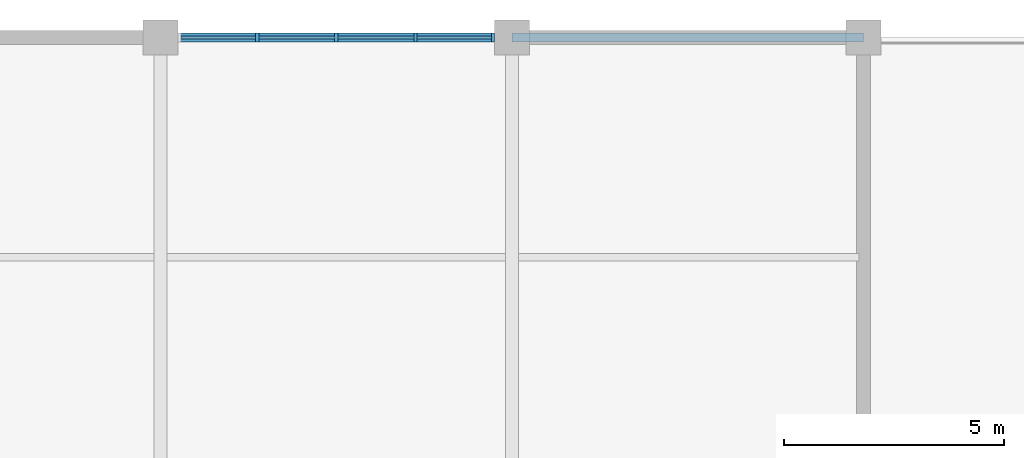
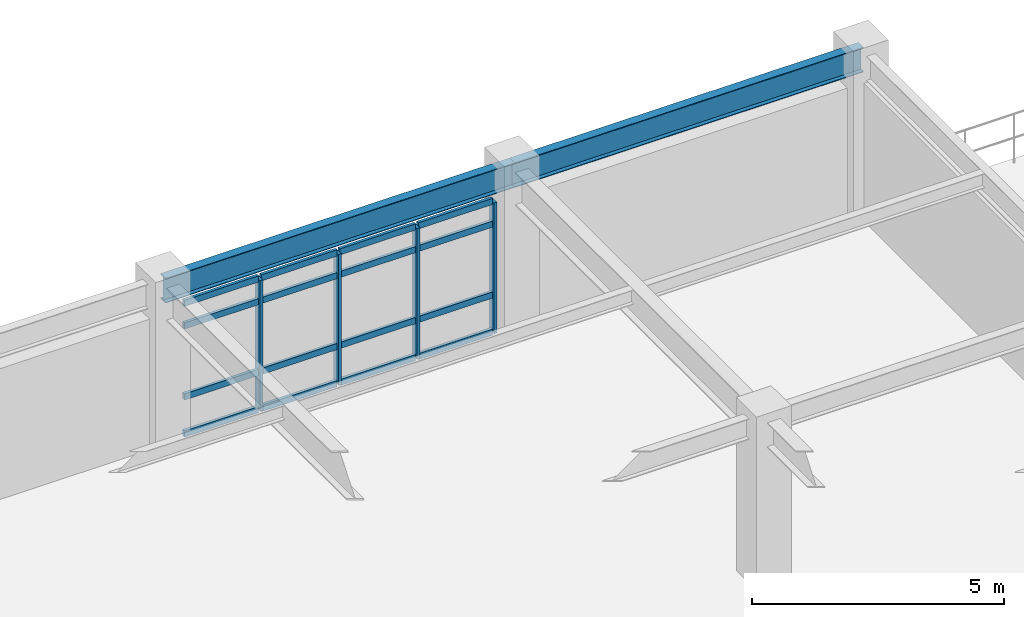
# One storey, part 62 of 118: 20 members, 2 beams, 1 element without a shape of its own.
"""IFC4 building model written with IfcOpenShell, lengths in metres."""

from ifc_helpers import new_model, si_unit, direction, frame, origin, origin_2d, place, context, subcontext, project, spatial, rectangle, i_section, extrude, material, layer, layer_set, material_profile, profile_set, type_object, element, aggregate, save


model = new_model("IFC4")

# Units and contexts
model_context = context("Model", 3, precision=1e-05, world=origin(), true_north=direction((0.0, 1.0)))
body_context = subcontext(model_context, "Body", "Model", "MODEL_VIEW")
ifc_project = project(units=[si_unit("LENGTHUNIT", "METRE"), si_unit("AREAUNIT", "SQUARE_METRE"), si_unit("VOLUMEUNIT", "CUBIC_METRE"), si_unit("PLANEANGLEUNIT", "RADIAN"), si_unit("MASSUNIT", "GRAM", prefix="KILO")], contexts=[model_context])

# Site, building, storey
site_placement = place(None, origin())
site = spatial("IfcSite", under=ifc_project, at=site_placement, CompositionType="ELEMENT")
building_placement = place(site_placement, origin())
building = spatial("IfcBuilding", under=site, at=building_placement, Name="Haebicheon Civic Stadium", CompositionType="ELEMENT")
storey_placement = place(building_placement, frame((0.0, 0.0, 14.39990234375)))
storey = spatial("IfcBuildingStorey", under=building, at=storey_placement, Name="L04", CompositionType="ELEMENT", Elevation=14.39990234375)

# Curtain wall, members
ifc_material_1 = material(Name="Anodised aluminium and laminated glass", Category="aluminium")
ifc_layer = layer(ifc_material_1, 0.179931640625, Name="Anodised aluminium and laminated glass")
ifc_layer_set = layer_set([ifc_layer], Name="Anodised aluminium and laminated glass")
curtain_wall_type = type_object("IfcCurtainWallType", Name="CW-7200x3170", PredefinedType="NOTDEFINED", material=ifc_layer_set)
curtain_wall_placement = place(storey_placement, origin())
curtain_wall = element("IfcCurtainWall", 1, at=curtain_wall_placement, inside=storey, type_object=curtain_wall_type, material=ifc_layer_set, Name="L04 unitised curtain wall 164", PredefinedType="NOTDEFINED")
ifc_material_2 = material(Name="Anodised aluminium 6063-T6", Category="aluminium")
ifc_material_profile_1 = material_profile(ifc_material_2, rectangle(XDim=0.070068359375, YDim=0.199951171875, at=origin_2d()), Name="ALU-MULL-70x200")
ifc_profile_set_1 = profile_set([ifc_material_profile_1], Name="Anodised aluminium 6063-T6")
member_type_1 = type_object("IfcMemberType", Name="CWM-200x70", PredefinedType="MULLION", material=ifc_profile_set_1)
member_1_placement = place(storey_placement, frame((178.199951171875, 178.0, 0.0), z_axis=(0.0, 0.0, 1.0), x_axis=(1.0, 0.0, 0.0)))
member_1 = element("IfcMember", 2, at=member_1_placement, type_object=member_type_1, material=ifc_profile_set_1, Name="CW-L04-164 vertical mullion 2", PredefinedType="MULLION", context=body_context, shape_type="SweptSolid", body=[
    extrude(rectangle(XDim=0.070068359375, YDim=0.199951171875, at=origin_2d()), origin(), (0.0, 0.0, 1.0), 3.170166015625),
])
member_2_placement = place(storey_placement, frame((180.0, 178.0, 0.0), z_axis=(0.0, 0.0, 1.0), x_axis=(1.0, 0.0, 0.0)))
member_2 = element("IfcMember", 3, at=member_2_placement, type_object=member_type_1, material=ifc_profile_set_1, Name="CW-L04-164 vertical mullion 3", PredefinedType="MULLION", context=body_context, shape_type="SweptSolid", body=[
    extrude(rectangle(XDim=0.070068359375, YDim=0.199951171875, at=origin_2d()), origin(), (0.0, 0.0, 1.0), 3.170166015625),
])
member_3_placement = place(storey_placement, frame((181.800048828125, 178.0, 0.0), z_axis=(0.0, 0.0, 1.0), x_axis=(1.0, 0.0, 0.0)))
member_3 = element("IfcMember", 4, at=member_3_placement, type_object=member_type_1, material=ifc_profile_set_1, Name="CW-L04-164 vertical mullion 4", PredefinedType="MULLION", context=body_context, shape_type="SweptSolid", body=[
    extrude(rectangle(XDim=0.070068359375, YDim=0.199951171875, at=origin_2d()), origin(), (0.0, 0.0, 1.0), 3.170166015625),
])
member_4_placement = place(storey_placement, frame((183.56494140625, 178.0, 0.0), z_axis=(0.0, 0.0, 1.0), x_axis=(1.0, 0.0, 0.0)))
member_4 = element("IfcMember", 5, at=member_4_placement, type_object=member_type_1, material=ifc_profile_set_1, Name="CW-L04-164 vertical mullion 5", PredefinedType="MULLION", context=body_context, shape_type="SweptSolid", body=[
    extrude(rectangle(XDim=0.070068359375, YDim=0.199951171875, at=origin_2d()), origin(), (0.0, 0.0, 1.0), 3.170166015625),
])
ifc_material_3 = material(Name="Anodised aluminium 6063-T6", Category="aluminium")
ifc_material_profile_2 = material_profile(ifc_material_3, rectangle(XDim=0.070068359375, YDim=0.14990234375, at=origin_2d()), Name="ALU-TRAN-70x150")
ifc_profile_set_2 = profile_set([ifc_material_profile_2], Name="Anodised aluminium 6063-T6")
member_type_2 = type_object("IfcMemberType", Name="CWT-150x70", PredefinedType="NOTDEFINED", material=ifc_profile_set_2)
member_5_placement = place(storey_placement, frame((176.469970703125, 178.0, 0.0), z_axis=(1.0, 0.0, 0.0), x_axis=(0.0, 1.0, 0.0)))
member_5 = element("IfcMember", 6, at=member_5_placement, type_object=member_type_2, material=ifc_profile_set_2, Name="CW-L04-164 horizontal transom 1.1", ObjectType="TRANSOM", PredefinedType="USERDEFINED", context=body_context, shape_type="SweptSolid", body=[
    extrude(rectangle(XDim=0.070068359375, YDim=0.14990234375, at=origin_2d()), origin(), (0.0, 0.0, 1.0), 1.695068359375),
])
member_6_placement = place(storey_placement, frame((176.469970703125, 178.0, 0.900146484375), z_axis=(1.0, 0.0, 0.0), x_axis=(0.0, 1.0, 0.0)))
member_6 = element("IfcMember", 7, at=member_6_placement, type_object=member_type_2, material=ifc_profile_set_2, Name="CW-L04-164 horizontal transom 1.2", ObjectType="TRANSOM", PredefinedType="USERDEFINED", context=body_context, shape_type="SweptSolid", body=[
    extrude(rectangle(XDim=0.070068359375, YDim=0.14990234375, at=origin_2d()), origin(), (0.0, 0.0, 1.0), 1.695068359375),
])
member_7_placement = place(storey_placement, frame((176.469970703125, 178.0, 2.6201171875), z_axis=(1.0, 0.0, 0.0), x_axis=(0.0, 1.0, 0.0)))
member_7 = element("IfcMember", 8, at=member_7_placement, type_object=member_type_2, material=ifc_profile_set_2, Name="CW-L04-164 horizontal transom 1.3", ObjectType="TRANSOM", PredefinedType="USERDEFINED", context=body_context, shape_type="SweptSolid", body=[
    extrude(rectangle(XDim=0.070068359375, YDim=0.14990234375, at=origin_2d()), origin(), (0.0, 0.0, 1.0), 1.695068359375),
])
member_8_placement = place(storey_placement, frame((176.469970703125, 178.0, 3.170166015625), z_axis=(1.0, 0.0, 0.0), x_axis=(0.0, 1.0, 0.0)))
member_8 = element("IfcMember", 9, at=member_8_placement, type_object=member_type_2, material=ifc_profile_set_2, Name="CW-L04-164 horizontal transom 1.4", ObjectType="TRANSOM", PredefinedType="USERDEFINED", context=body_context, shape_type="SweptSolid", body=[
    extrude(rectangle(XDim=0.070068359375, YDim=0.14990234375, at=origin_2d()), origin(), (0.0, 0.0, 1.0), 1.695068359375),
])
member_9_placement = place(storey_placement, frame((178.235107421875, 178.0, 0.0), z_axis=(1.0, 0.0, 0.0), x_axis=(0.0, 1.0, 0.0)))
member_9 = element("IfcMember", 10, at=member_9_placement, type_object=member_type_2, material=ifc_profile_set_2, Name="CW-L04-164 horizontal transom 2.1", ObjectType="TRANSOM", PredefinedType="USERDEFINED", context=body_context, shape_type="SweptSolid", body=[
    extrude(rectangle(XDim=0.070068359375, YDim=0.14990234375, at=origin_2d()), origin(), (0.0, 0.0, 1.0), 1.72998046875),
])
member_10_placement = place(storey_placement, frame((178.235107421875, 178.0, 0.900146484375), z_axis=(1.0, 0.0, 0.0), x_axis=(0.0, 1.0, 0.0)))
member_10 = element("IfcMember", 11, at=member_10_placement, type_object=member_type_2, material=ifc_profile_set_2, Name="CW-L04-164 horizontal transom 2.2", ObjectType="TRANSOM", PredefinedType="USERDEFINED", context=body_context, shape_type="SweptSolid", body=[
    extrude(rectangle(XDim=0.070068359375, YDim=0.14990234375, at=origin_2d()), origin(), (0.0, 0.0, 1.0), 1.72998046875),
])
member_11_placement = place(storey_placement, frame((178.235107421875, 178.0, 2.6201171875), z_axis=(1.0, 0.0, 0.0), x_axis=(0.0, 1.0, 0.0)))
member_11 = element("IfcMember", 12, at=member_11_placement, type_object=member_type_2, material=ifc_profile_set_2, Name="CW-L04-164 horizontal transom 2.3", ObjectType="TRANSOM", PredefinedType="USERDEFINED", context=body_context, shape_type="SweptSolid", body=[
    extrude(rectangle(XDim=0.070068359375, YDim=0.14990234375, at=origin_2d()), origin(), (0.0, 0.0, 1.0), 1.72998046875),
])
member_12_placement = place(storey_placement, frame((178.235107421875, 178.0, 3.170166015625), z_axis=(1.0, 0.0, 0.0), x_axis=(0.0, 1.0, 0.0)))
member_12 = element("IfcMember", 13, at=member_12_placement, type_object=member_type_2, material=ifc_profile_set_2, Name="CW-L04-164 horizontal transom 2.4", ObjectType="TRANSOM", PredefinedType="USERDEFINED", context=body_context, shape_type="SweptSolid", body=[
    extrude(rectangle(XDim=0.070068359375, YDim=0.14990234375, at=origin_2d()), origin(), (0.0, 0.0, 1.0), 1.72998046875),
])
member_13_placement = place(storey_placement, frame((180.034912109375, 178.0, 0.0), z_axis=(1.0, 0.0, 0.0), x_axis=(0.0, 1.0, 0.0)))
member_13 = element("IfcMember", 14, at=member_13_placement, type_object=member_type_2, material=ifc_profile_set_2, Name="CW-L04-164 horizontal transom 3.1", ObjectType="TRANSOM", PredefinedType="USERDEFINED", context=body_context, shape_type="SweptSolid", body=[
    extrude(rectangle(XDim=0.070068359375, YDim=0.14990234375, at=origin_2d()), origin(), (0.0, 0.0, 1.0), 1.72998046875),
])
member_14_placement = place(storey_placement, frame((180.034912109375, 178.0, 0.900146484375), z_axis=(1.0, 0.0, 0.0), x_axis=(0.0, 1.0, 0.0)))
member_14 = element("IfcMember", 15, at=member_14_placement, type_object=member_type_2, material=ifc_profile_set_2, Name="CW-L04-164 horizontal transom 3.2", ObjectType="TRANSOM", PredefinedType="USERDEFINED", context=body_context, shape_type="SweptSolid", body=[
    extrude(rectangle(XDim=0.070068359375, YDim=0.14990234375, at=origin_2d()), origin(), (0.0, 0.0, 1.0), 1.72998046875),
])
member_15_placement = place(storey_placement, frame((180.034912109375, 178.0, 2.6201171875), z_axis=(1.0, 0.0, 0.0), x_axis=(0.0, 1.0, 0.0)))
member_15 = element("IfcMember", 16, at=member_15_placement, type_object=member_type_2, material=ifc_profile_set_2, Name="CW-L04-164 horizontal transom 3.3", ObjectType="TRANSOM", PredefinedType="USERDEFINED", context=body_context, shape_type="SweptSolid", body=[
    extrude(rectangle(XDim=0.070068359375, YDim=0.14990234375, at=origin_2d()), origin(), (0.0, 0.0, 1.0), 1.72998046875),
])
member_16_placement = place(storey_placement, frame((180.034912109375, 178.0, 3.170166015625), z_axis=(1.0, 0.0, 0.0), x_axis=(0.0, 1.0, 0.0)))
member_16 = element("IfcMember", 17, at=member_16_placement, type_object=member_type_2, material=ifc_profile_set_2, Name="CW-L04-164 horizontal transom 3.4", ObjectType="TRANSOM", PredefinedType="USERDEFINED", context=body_context, shape_type="SweptSolid", body=[
    extrude(rectangle(XDim=0.070068359375, YDim=0.14990234375, at=origin_2d()), origin(), (0.0, 0.0, 1.0), 1.72998046875),
])
member_17_placement = place(storey_placement, frame((181.8349609375, 178.0, 0.0), z_axis=(1.0, 0.0, 0.0), x_axis=(0.0, 1.0, 0.0)))
member_17 = element("IfcMember", 18, at=member_17_placement, type_object=member_type_2, material=ifc_profile_set_2, Name="CW-L04-164 horizontal transom 4.1", ObjectType="TRANSOM", PredefinedType="USERDEFINED", context=body_context, shape_type="SweptSolid", body=[
    extrude(rectangle(XDim=0.070068359375, YDim=0.14990234375, at=origin_2d()), origin(), (0.0, 0.0, 1.0), 1.695068359375),
])
member_18_placement = place(storey_placement, frame((181.8349609375, 178.0, 0.900146484375), z_axis=(1.0, 0.0, 0.0), x_axis=(0.0, 1.0, 0.0)))
member_18 = element("IfcMember", 19, at=member_18_placement, type_object=member_type_2, material=ifc_profile_set_2, Name="CW-L04-164 horizontal transom 4.2", ObjectType="TRANSOM", PredefinedType="USERDEFINED", context=body_context, shape_type="SweptSolid", body=[
    extrude(rectangle(XDim=0.070068359375, YDim=0.14990234375, at=origin_2d()), origin(), (0.0, 0.0, 1.0), 1.695068359375),
])
member_19_placement = place(storey_placement, frame((181.8349609375, 178.0, 2.6201171875), z_axis=(1.0, 0.0, 0.0), x_axis=(0.0, 1.0, 0.0)))
member_19 = element("IfcMember", 20, at=member_19_placement, type_object=member_type_2, material=ifc_profile_set_2, Name="CW-L04-164 horizontal transom 4.3", ObjectType="TRANSOM", PredefinedType="USERDEFINED", context=body_context, shape_type="SweptSolid", body=[
    extrude(rectangle(XDim=0.070068359375, YDim=0.14990234375, at=origin_2d()), origin(), (0.0, 0.0, 1.0), 1.695068359375),
])
member_20_placement = place(storey_placement, frame((181.8349609375, 178.0, 3.170166015625), z_axis=(1.0, 0.0, 0.0), x_axis=(0.0, 1.0, 0.0)))
member_20 = element("IfcMember", 21, at=member_20_placement, type_object=member_type_2, material=ifc_profile_set_2, Name="CW-L04-164 horizontal transom 4.4", ObjectType="TRANSOM", PredefinedType="USERDEFINED", context=body_context, shape_type="SweptSolid", body=[
    extrude(rectangle(XDim=0.070068359375, YDim=0.14990234375, at=origin_2d()), origin(), (0.0, 0.0, 1.0), 1.695068359375),
])
aggregate(curtain_wall, [member_1, member_2, member_3, member_4, member_5, member_6, member_7, member_8, member_9, member_10, member_11, member_12, member_13, member_14, member_15, member_16, member_17, member_18, member_19, member_20])

# Beams
ifc_material_4 = material(Name="Steel SM355 (S355)", Category="steel")
ifc_material_profile_3 = material_profile(ifc_material_4, i_section(OverallWidth=0.199951171875, OverallDepth=0.60009765625, WebThickness=0.010986328125, FlangeThickness=0.01708984375, at=origin_2d()), Name="H-600x200x11x17")
ifc_profile_set_3 = profile_set([ifc_material_profile_3], Name="Steel SM355 (S355)")
beam_type = type_object("IfcBeamType", Name="SPD-ST-H600B", PredefinedType="SPANDREL", material=ifc_profile_set_3)
for number, where, z_axis, x_axis, name in (
    (22, (176.0, 178.0, 3.68017578125), (1.0, 0.0, 0.0), (0.0, 1.0, 0.0), "L04 beam Y/23-24"),
    (23, (184.0, 178.0, 3.68017578125), (1.0, 0.0, 0.0), (0.0, 1.0, 0.0), "L04 beam Y/24-25"),
):
    element("IfcBeam", number, at=place(storey_placement, frame(where, z_axis=z_axis, x_axis=x_axis)), inside=storey, type_object=beam_type, material=ifc_profile_set_3, Name=name, PredefinedType="SPANDREL", context=body_context, shape_type="SweptSolid", body=[
        extrude(i_section(OverallWidth=0.199951171875, OverallDepth=0.60009765625, WebThickness=0.010986328125, FlangeThickness=0.01708984375, at=origin_2d()), origin(), (0.0, 0.0, 1.0), 8.0),
    ])

save(model, "model.ifc")
